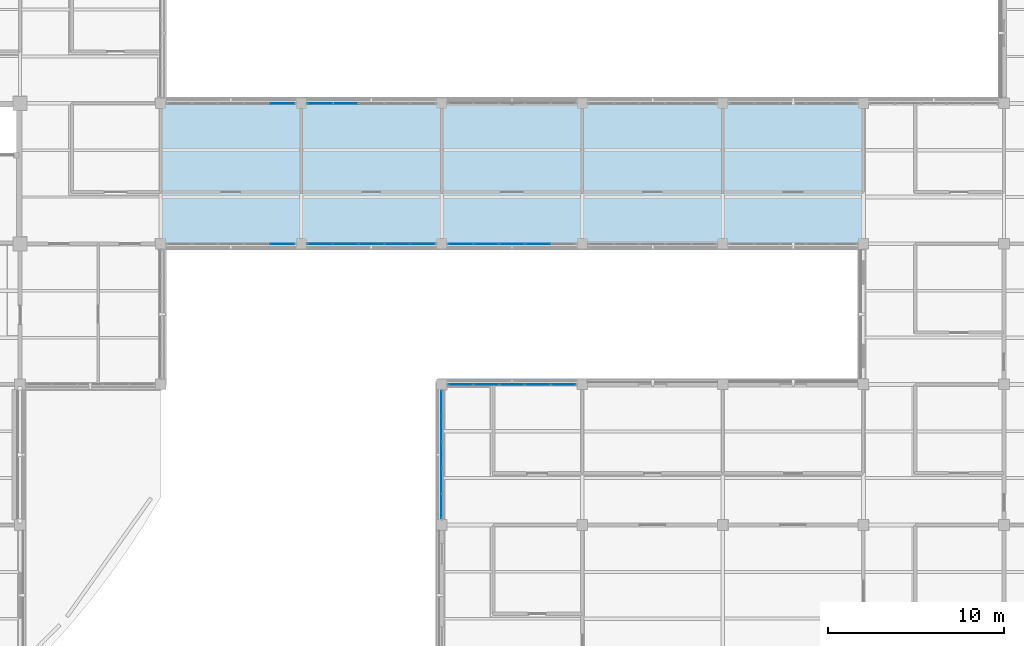
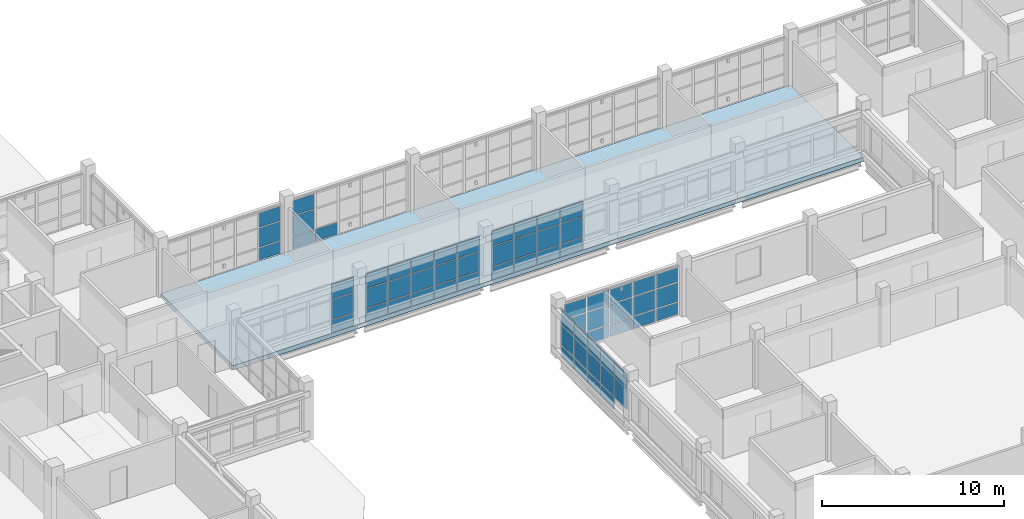
# One storey, part 78 of 126: 66 plates, 1 slab, 7 elements without a shape of their own.
"""IFC4 building model written with IfcOpenShell, lengths in metres."""

from ifc_helpers import new_model, si_unit, derived_unit, direction, frame, origin, origin_2d, place, context, subcontext, project, spatial, polyline, rectangle, outline, extrude, material, layer, layer_set, type_object, element, aggregate, save


model = new_model("IFC4")

# Units and contexts
model_context = context("Model", 3, precision=1e-05, world=origin(), true_north=direction((0.0, 1.0)))
body_context = subcontext(model_context, "Body", "Model", "MODEL_VIEW")
ifc_project = project(units=[si_unit("LENGTHUNIT", "METRE"), si_unit("AREAUNIT", "SQUARE_METRE"), si_unit("VOLUMEUNIT", "CUBIC_METRE"), si_unit("PLANEANGLEUNIT", "RADIAN"), si_unit("MASSUNIT", "GRAM", prefix="KILO"), derived_unit("THERMALTRANSMITTANCEUNIT", [(si_unit("MASSUNIT", "GRAM", prefix="KILO"), 1), (si_unit("TIMEUNIT", "SECOND"), -3), (si_unit("THERMODYNAMICTEMPERATUREUNIT", "KELVIN"), -1)])], contexts=[model_context])

# Site, building, storey
site_placement = place(None, origin())
site = spatial("IfcSite", under=ifc_project, at=site_placement, CompositionType="ELEMENT")
building_placement = place(site_placement, origin())
building = spatial("IfcBuilding", under=site, at=building_placement, Name="Veyamyaing Civic Hall", CompositionType="ELEMENT")
storey_placement = place(building_placement, frame((0.0, 0.0, 9.89990234375)))
storey = spatial("IfcBuildingStorey", under=building, at=storey_placement, Name="L02", CompositionType="ELEMENT", Elevation=9.89990234375)

# Curtain wall, plates
ifc_material_1 = material(Name="Anodised aluminium 6063-T6", Category="aluminium")
ifc_layer_1 = layer(ifc_material_1, 0.139892578125, Name="Anodised aluminium 6063-T6")
ifc_layer_set_1 = layer_set([ifc_layer_1], Name="Anodised aluminium 6063-T6")
curtain_wall_type_1 = type_object("IfcCurtainWallType", Name="CW-04", PredefinedType="NOTDEFINED", material=ifc_layer_set_1)
curtain_wall_1_placement = place(storey_placement, origin())
curtain_wall_1 = element("IfcCurtainWall", 1, at=curtain_wall_1_placement, inside=storey, type_object=curtain_wall_type_1, Name="Unitized curtain wall CW-04 L02 S 16.7", PredefinedType="NOTDEFINED")
ifc_material_2 = material(Name="Low-E insulated glass", Category="glass")
ifc_layer_2 = layer(ifc_material_2, 0.028076171875, Name="Low-E insulated glass")
ifc_layer_set_2 = layer_set([ifc_layer_2], Name="Low-E insulated glass")
plate_type_1 = type_object("IfcPlateType", Name="CWP-01", PredefinedType="CURTAIN_PANEL", material=ifc_layer_set_2)
plate_1_placement = place(storey_placement, frame((126.9208984375, 48.0, 0.06005859375), z_axis=(0.0, 0.0, 1.0), x_axis=(1.0, 0.0, 0.0)))
plate_1 = element("IfcPlate", 2, at=plate_1_placement, type_object=plate_type_1, Name="CW-04 panel 5.1", PredefinedType="CURTAIN_PANEL", context=body_context, shape_type="SweptSolid", body=[
    extrude(rectangle(XDim=1.3779296875, YDim=0.028076171875, at=origin_2d()), origin(), (0.0, 0.0, 1.0), 0.81005859375),
])
plate_2_placement = place(storey_placement, frame((126.9208984375, 48.0, 0.93017578125), z_axis=(0.0, 0.0, 1.0), x_axis=(1.0, 0.0, 0.0)))
plate_2 = element("IfcPlate", 3, at=plate_2_placement, type_object=plate_type_1, Name="CW-04 panel 5.2", PredefinedType="CURTAIN_PANEL", context=body_context, shape_type="SweptSolid", body=[
    extrude(rectangle(XDim=1.3779296875, YDim=0.028076171875, at=origin_2d()), origin(), (0.0, 0.0, 1.0), 1.31591796875),
])
plate_3_placement = place(storey_placement, frame((126.9208984375, 48.0, 2.30615234375), z_axis=(0.0, 0.0, 1.0), x_axis=(1.0, 0.0, 0.0)))
plate_3 = element("IfcPlate", 4, at=plate_3_placement, type_object=plate_type_1, Name="CW-04 panel 5.3", PredefinedType="CURTAIN_PANEL", context=body_context, shape_type="SweptSolid", body=[
    extrude(rectangle(XDim=1.3779296875, YDim=0.028076171875, at=origin_2d()), origin(), (0.0, 0.0, 1.0), 0.98095703125),
])
aggregate(curtain_wall_1, [plate_1, plate_2, plate_3])

curtain_wall_2_placement = place(storey_placement, origin())
curtain_wall_2 = element("IfcCurtainWall", 5, at=curtain_wall_2_placement, inside=storey, type_object=curtain_wall_type_1, Name="Unitized curtain wall CW-04 L02 N 16.7", PredefinedType="NOTDEFINED")
plate_4_placement = place(storey_placement, frame((126.9208984375, 56.0, 0.06005859375), z_axis=(0.0, 0.0, 1.0), x_axis=(1.0, 0.0, 0.0)))
plate_4 = element("IfcPlate", 6, at=plate_4_placement, type_object=plate_type_1, Name="CW-04 panel 5.1", PredefinedType="CURTAIN_PANEL", context=body_context, shape_type="SweptSolid", body=[
    extrude(rectangle(XDim=1.3779296875, YDim=0.028076171875, at=origin_2d()), origin(), (0.0, 0.0, 1.0), 0.81005859375),
])
plate_5_placement = place(storey_placement, frame((126.9208984375, 56.0, 0.929931640625), z_axis=(0.0, 0.0, 1.0), x_axis=(1.0, 0.0, 0.0)))
plate_5 = element("IfcPlate", 7, at=plate_5_placement, type_object=plate_type_1, Name="CW-04 panel 5.2", PredefinedType="CURTAIN_PANEL", context=body_context, shape_type="SweptSolid", body=[
    extrude(rectangle(XDim=1.3779296875, YDim=0.028076171875, at=origin_2d()), origin(), (0.0, 0.0, 1.0), 1.2705078125),
])
plate_6_placement = place(storey_placement, frame((126.9208984375, 56.0, 2.26025390625), z_axis=(0.0, 0.0, 1.0), x_axis=(1.0, 0.0, 0.0)))
plate_6 = element("IfcPlate", 8, at=plate_6_placement, type_object=plate_type_1, Name="CW-04 panel 5.3", PredefinedType="CURTAIN_PANEL", context=body_context, shape_type="SweptSolid", body=[
    extrude(rectangle(XDim=1.3779296875, YDim=0.028076171875, at=origin_2d()), origin(), (0.0, 0.0, 1.0), 0.959716796875),
])
aggregate(curtain_wall_2, [plate_4, plate_5, plate_6])

ifc_layer_3 = layer(ifc_material_1, 0.159912109375, Name="Anodised aluminium 6063-T6")
ifc_layer_set_3 = layer_set([ifc_layer_3], Name="Anodised aluminium 6063-T6")
curtain_wall_type_2 = type_object("IfcCurtainWallType", Name="CW-03", PredefinedType="NOTDEFINED", material=ifc_layer_set_3)
curtain_wall_3_placement = place(storey_placement, origin())
curtain_wall_3 = element("IfcCurtainWall", 9, at=curtain_wall_3_placement, inside=storey, type_object=curtain_wall_type_2, Name="Unitized curtain wall CW-03 L02 N 18.5", PredefinedType="NOTDEFINED")
plate_7_placement = place(storey_placement, frame((137.080322265625, 40.0, 0.06494140625), z_axis=(0.0, 0.0, 1.0), x_axis=(1.0, 0.0, 0.0)))
plate_7 = element("IfcPlate", 10, at=plate_7_placement, type_object=plate_type_1, Name="CW-03 panel 1.1", PredefinedType="CURTAIN_PANEL", context=body_context, shape_type="SweptSolid", body=[
    extrude(rectangle(XDim=1.37060546875, YDim=0.028076171875, at=origin_2d()), origin(), (0.0, 0.0, 1.0), 0.802490234375),
])
plate_8_placement = place(storey_placement, frame((137.080322265625, 40.0, 0.9326171875), z_axis=(0.0, 0.0, 1.0), x_axis=(1.0, 0.0, 0.0)))
plate_8 = element("IfcPlate", 11, at=plate_8_placement, type_object=plate_type_1, Name="CW-03 panel 1.2", PredefinedType="CURTAIN_PANEL", context=body_context, shape_type="SweptSolid", body=[
    extrude(rectangle(XDim=1.37060546875, YDim=0.028076171875, at=origin_2d()), origin(), (0.0, 0.0, 1.0), 1.265380859375),
])
plate_9_placement = place(storey_placement, frame((137.080322265625, 40.0, 2.262939453125), z_axis=(0.0, 0.0, 1.0), x_axis=(1.0, 0.0, 0.0)))
plate_9 = element("IfcPlate", 12, at=plate_9_placement, type_object=plate_type_1, Name="CW-03 panel 1.3", PredefinedType="CURTAIN_PANEL", context=body_context, shape_type="SweptSolid", body=[
    extrude(rectangle(XDim=1.37060546875, YDim=0.028076171875, at=origin_2d()), origin(), (0.0, 0.0, 1.0), 0.9521484375),
])
plate_10_placement = place(storey_placement, frame((138.531982421875, 40.0, 0.06494140625), z_axis=(0.0, 0.0, 1.0), x_axis=(1.0, 0.0, 0.0)))
plate_10 = element("IfcPlate", 13, at=plate_10_placement, type_object=plate_type_1, Name="CW-03 panel 2.1", PredefinedType="CURTAIN_PANEL", context=body_context, shape_type="SweptSolid", body=[
    extrude(rectangle(XDim=1.403076171875, YDim=0.028076171875, at=origin_2d()), origin(), (0.0, 0.0, 1.0), 0.802490234375),
])
plate_11_placement = place(storey_placement, frame((138.531982421875, 40.0, 0.9326171875), z_axis=(0.0, 0.0, 1.0), x_axis=(1.0, 0.0, 0.0)))
plate_11 = element("IfcPlate", 14, at=plate_11_placement, type_object=plate_type_1, Name="CW-03 panel 2.2", PredefinedType="CURTAIN_PANEL", context=body_context, shape_type="SweptSolid", body=[
    extrude(rectangle(XDim=1.403076171875, YDim=0.028076171875, at=origin_2d()), origin(), (0.0, 0.0, 1.0), 1.265380859375),
])
plate_12_placement = place(storey_placement, frame((138.531982421875, 40.0, 2.262939453125), z_axis=(0.0, 0.0, 1.0), x_axis=(1.0, 0.0, 0.0)))
plate_12 = element("IfcPlate", 15, at=plate_12_placement, type_object=plate_type_1, Name="CW-03 panel 2.3", PredefinedType="CURTAIN_PANEL", context=body_context, shape_type="SweptSolid", body=[
    extrude(rectangle(XDim=1.403076171875, YDim=0.028076171875, at=origin_2d()), origin(), (0.0, 0.0, 1.0), 0.9521484375),
])
plate_13_placement = place(storey_placement, frame((140.0, 40.0, 0.06494140625), z_axis=(0.0, 0.0, 1.0), x_axis=(1.0, 0.0, 0.0)))
plate_13 = element("IfcPlate", 16, at=plate_13_placement, type_object=plate_type_1, Name="CW-03 panel 3.1", PredefinedType="CURTAIN_PANEL", context=body_context, shape_type="SweptSolid", body=[
    extrude(rectangle(XDim=1.403076171875, YDim=0.028076171875, at=origin_2d()), origin(), (0.0, 0.0, 1.0), 0.802490234375),
])
plate_14_placement = place(storey_placement, frame((140.0, 40.0, 0.9326171875), z_axis=(0.0, 0.0, 1.0), x_axis=(1.0, 0.0, 0.0)))
plate_14 = element("IfcPlate", 17, at=plate_14_placement, type_object=plate_type_1, Name="CW-03 panel 3.2", PredefinedType="CURTAIN_PANEL", context=body_context, shape_type="SweptSolid", body=[
    extrude(rectangle(XDim=1.403076171875, YDim=0.028076171875, at=origin_2d()), origin(), (0.0, 0.0, 1.0), 1.265380859375),
])
plate_15_placement = place(storey_placement, frame((140.0, 40.0, 2.262939453125), z_axis=(0.0, 0.0, 1.0), x_axis=(1.0, 0.0, 0.0)))
plate_15 = element("IfcPlate", 18, at=plate_15_placement, type_object=plate_type_1, Name="CW-03 panel 3.3", PredefinedType="CURTAIN_PANEL", context=body_context, shape_type="SweptSolid", body=[
    extrude(rectangle(XDim=1.403076171875, YDim=0.028076171875, at=origin_2d()), origin(), (0.0, 0.0, 1.0), 0.9521484375),
])
plate_16_placement = place(storey_placement, frame((141.468017578125, 40.0, 0.06494140625), z_axis=(0.0, 0.0, 1.0), x_axis=(1.0, 0.0, 0.0)))
plate_16 = element("IfcPlate", 19, at=plate_16_placement, type_object=plate_type_1, Name="CW-03 panel 4.1", PredefinedType="CURTAIN_PANEL", context=body_context, shape_type="SweptSolid", body=[
    extrude(rectangle(XDim=1.403076171875, YDim=0.028076171875, at=origin_2d()), origin(), (0.0, 0.0, 1.0), 0.802490234375),
])
plate_17_placement = place(storey_placement, frame((141.468017578125, 40.0, 0.9326171875), z_axis=(0.0, 0.0, 1.0), x_axis=(1.0, 0.0, 0.0)))
plate_17 = element("IfcPlate", 20, at=plate_17_placement, type_object=plate_type_1, Name="CW-03 panel 4.2", PredefinedType="CURTAIN_PANEL", context=body_context, shape_type="SweptSolid", body=[
    extrude(rectangle(XDim=1.403076171875, YDim=0.028076171875, at=origin_2d()), origin(), (0.0, 0.0, 1.0), 1.265380859375),
])
plate_18_placement = place(storey_placement, frame((141.468017578125, 40.0, 2.262939453125), z_axis=(0.0, 0.0, 1.0), x_axis=(1.0, 0.0, 0.0)))
plate_18 = element("IfcPlate", 21, at=plate_18_placement, type_object=plate_type_1, Name="CW-03 panel 4.3", PredefinedType="CURTAIN_PANEL", context=body_context, shape_type="SweptSolid", body=[
    extrude(rectangle(XDim=1.403076171875, YDim=0.028076171875, at=origin_2d()), origin(), (0.0, 0.0, 1.0), 0.9521484375),
])
plate_19_placement = place(storey_placement, frame((142.919677734375, 40.0, 0.06494140625), z_axis=(0.0, 0.0, 1.0), x_axis=(1.0, 0.0, 0.0)))
plate_19 = element("IfcPlate", 22, at=plate_19_placement, type_object=plate_type_1, Name="CW-03 panel 5.1", PredefinedType="CURTAIN_PANEL", context=body_context, shape_type="SweptSolid", body=[
    extrude(rectangle(XDim=1.37060546875, YDim=0.028076171875, at=origin_2d()), origin(), (0.0, 0.0, 1.0), 0.802490234375),
])
plate_20_placement = place(storey_placement, frame((142.919677734375, 40.0, 0.9326171875), z_axis=(0.0, 0.0, 1.0), x_axis=(1.0, 0.0, 0.0)))
plate_20 = element("IfcPlate", 23, at=plate_20_placement, type_object=plate_type_1, Name="CW-03 panel 5.2", PredefinedType="CURTAIN_PANEL", context=body_context, shape_type="SweptSolid", body=[
    extrude(rectangle(XDim=1.37060546875, YDim=0.028076171875, at=origin_2d()), origin(), (0.0, 0.0, 1.0), 1.265380859375),
])
plate_21_placement = place(storey_placement, frame((142.919677734375, 40.0, 2.262939453125), z_axis=(0.0, 0.0, 1.0), x_axis=(1.0, 0.0, 0.0)))
plate_21 = element("IfcPlate", 24, at=plate_21_placement, type_object=plate_type_1, Name="CW-03 panel 5.3", PredefinedType="CURTAIN_PANEL", context=body_context, shape_type="SweptSolid", body=[
    extrude(rectangle(XDim=1.37060546875, YDim=0.028076171875, at=origin_2d()), origin(), (0.0, 0.0, 1.0), 0.9521484375),
])
aggregate(curtain_wall_3, [plate_7, plate_8, plate_9, plate_10, plate_11, plate_12, plate_13, plate_14, plate_15, plate_16, plate_17, plate_18, plate_19, plate_20, plate_21])

curtain_wall_4_placement = place(storey_placement, origin())
curtain_wall_4 = element("IfcCurtainWall", 25, at=curtain_wall_4_placement, inside=storey, type_object=curtain_wall_type_2, Name="Unitized curtain wall CW-03 L02 W 18.5", PredefinedType="NOTDEFINED")
plate_22_placement = place(storey_placement, frame((136.0, 33.080322265625, 0.9326171875), z_axis=(0.0, 0.0, 1.0), x_axis=(0.0, 1.0, 0.0)))
plate_22 = element("IfcPlate", 26, at=plate_22_placement, type_object=plate_type_1, Name="CW-03 panel 1.2", PredefinedType="CURTAIN_PANEL", context=body_context, shape_type="SweptSolid", body=[
    extrude(rectangle(XDim=1.37060546875, YDim=0.028076171875, at=origin_2d()), origin(), (0.0, 0.0, 1.0), 1.31103515625),
])
plate_23_placement = place(storey_placement, frame((136.0, 33.080322265625, 2.30859375), z_axis=(0.0, 0.0, 1.0), x_axis=(0.0, 1.0, 0.0)))
plate_23 = element("IfcPlate", 27, at=plate_23_placement, type_object=plate_type_1, Name="CW-03 panel 1.3", PredefinedType="CURTAIN_PANEL", context=body_context, shape_type="SweptSolid", body=[
    extrude(rectangle(XDim=1.37060546875, YDim=0.028076171875, at=origin_2d()), origin(), (0.0, 0.0, 1.0), 0.973388671875),
])
plate_24_placement = place(storey_placement, frame((136.0, 34.531982421875, 0.06494140625), z_axis=(0.0, 0.0, 1.0), x_axis=(0.0, 1.0, 0.0)))
plate_24 = element("IfcPlate", 28, at=plate_24_placement, type_object=plate_type_1, Name="CW-03 panel 2.1", PredefinedType="CURTAIN_PANEL", context=body_context, shape_type="SweptSolid", body=[
    extrude(rectangle(XDim=1.403076171875, YDim=0.028076171875, at=origin_2d()), origin(), (0.0, 0.0, 1.0), 0.802490234375),
])
plate_25_placement = place(storey_placement, frame((136.0, 34.531982421875, 0.9326171875), z_axis=(0.0, 0.0, 1.0), x_axis=(0.0, 1.0, 0.0)))
plate_25 = element("IfcPlate", 29, at=plate_25_placement, type_object=plate_type_1, Name="CW-03 panel 2.2", PredefinedType="CURTAIN_PANEL", context=body_context, shape_type="SweptSolid", body=[
    extrude(rectangle(XDim=1.403076171875, YDim=0.028076171875, at=origin_2d()), origin(), (0.0, 0.0, 1.0), 1.31103515625),
])
plate_26_placement = place(storey_placement, frame((136.0, 34.531982421875, 2.30859375), z_axis=(0.0, 0.0, 1.0), x_axis=(0.0, 1.0, 0.0)))
plate_26 = element("IfcPlate", 30, at=plate_26_placement, type_object=plate_type_1, Name="CW-03 panel 2.3", PredefinedType="CURTAIN_PANEL", context=body_context, shape_type="SweptSolid", body=[
    extrude(rectangle(XDim=1.403076171875, YDim=0.028076171875, at=origin_2d()), origin(), (0.0, 0.0, 1.0), 0.973388671875),
])
plate_27_placement = place(storey_placement, frame((136.0, 36.0, 0.06494140625), z_axis=(0.0, 0.0, 1.0), x_axis=(0.0, 1.0, 0.0)))
plate_27 = element("IfcPlate", 31, at=plate_27_placement, type_object=plate_type_1, Name="CW-03 panel 3.1", PredefinedType="CURTAIN_PANEL", context=body_context, shape_type="SweptSolid", body=[
    extrude(rectangle(XDim=1.403076171875, YDim=0.028076171875, at=origin_2d()), origin(), (0.0, 0.0, 1.0), 0.802490234375),
])
plate_28_placement = place(storey_placement, frame((136.0, 36.0, 0.9326171875), z_axis=(0.0, 0.0, 1.0), x_axis=(0.0, 1.0, 0.0)))
plate_28 = element("IfcPlate", 32, at=plate_28_placement, type_object=plate_type_1, Name="CW-03 panel 3.2", PredefinedType="CURTAIN_PANEL", context=body_context, shape_type="SweptSolid", body=[
    extrude(rectangle(XDim=1.403076171875, YDim=0.028076171875, at=origin_2d()), origin(), (0.0, 0.0, 1.0), 1.31103515625),
])
plate_29_placement = place(storey_placement, frame((136.0, 36.0, 2.30859375), z_axis=(0.0, 0.0, 1.0), x_axis=(0.0, 1.0, 0.0)))
plate_29 = element("IfcPlate", 33, at=plate_29_placement, type_object=plate_type_1, Name="CW-03 panel 3.3", PredefinedType="CURTAIN_PANEL", context=body_context, shape_type="SweptSolid", body=[
    extrude(rectangle(XDim=1.403076171875, YDim=0.028076171875, at=origin_2d()), origin(), (0.0, 0.0, 1.0), 0.973388671875),
])
plate_30_placement = place(storey_placement, frame((136.0, 37.468017578125, 0.06494140625), z_axis=(0.0, 0.0, 1.0), x_axis=(0.0, 1.0, 0.0)))
plate_30 = element("IfcPlate", 34, at=plate_30_placement, type_object=plate_type_1, Name="CW-03 panel 4.1", PredefinedType="CURTAIN_PANEL", context=body_context, shape_type="SweptSolid", body=[
    extrude(rectangle(XDim=1.403076171875, YDim=0.028076171875, at=origin_2d()), origin(), (0.0, 0.0, 1.0), 0.802490234375),
])
plate_31_placement = place(storey_placement, frame((136.0, 37.468017578125, 0.9326171875), z_axis=(0.0, 0.0, 1.0), x_axis=(0.0, 1.0, 0.0)))
plate_31 = element("IfcPlate", 35, at=plate_31_placement, type_object=plate_type_1, Name="CW-03 panel 4.2", PredefinedType="CURTAIN_PANEL", context=body_context, shape_type="SweptSolid", body=[
    extrude(rectangle(XDim=1.403076171875, YDim=0.028076171875, at=origin_2d()), origin(), (0.0, 0.0, 1.0), 1.31103515625),
])
plate_32_placement = place(storey_placement, frame((136.0, 37.468017578125, 2.30859375), z_axis=(0.0, 0.0, 1.0), x_axis=(0.0, 1.0, 0.0)))
plate_32 = element("IfcPlate", 36, at=plate_32_placement, type_object=plate_type_1, Name="CW-03 panel 4.3", PredefinedType="CURTAIN_PANEL", context=body_context, shape_type="SweptSolid", body=[
    extrude(rectangle(XDim=1.403076171875, YDim=0.028076171875, at=origin_2d()), origin(), (0.0, 0.0, 1.0), 0.973388671875),
])
plate_33_placement = place(storey_placement, frame((136.0, 38.919677734375, 0.06494140625), z_axis=(0.0, 0.0, 1.0), x_axis=(0.0, 1.0, 0.0)))
plate_33 = element("IfcPlate", 37, at=plate_33_placement, type_object=plate_type_1, Name="CW-03 panel 5.1", PredefinedType="CURTAIN_PANEL", context=body_context, shape_type="SweptSolid", body=[
    extrude(rectangle(XDim=1.37060546875, YDim=0.028076171875, at=origin_2d()), origin(), (0.0, 0.0, 1.0), 0.802490234375),
])
plate_34_placement = place(storey_placement, frame((136.0, 38.919677734375, 0.9326171875), z_axis=(0.0, 0.0, 1.0), x_axis=(0.0, 1.0, 0.0)))
plate_34 = element("IfcPlate", 38, at=plate_34_placement, type_object=plate_type_1, Name="CW-03 panel 5.2", PredefinedType="CURTAIN_PANEL", context=body_context, shape_type="SweptSolid", body=[
    extrude(rectangle(XDim=1.37060546875, YDim=0.028076171875, at=origin_2d()), origin(), (0.0, 0.0, 1.0), 1.31103515625),
])
plate_35_placement = place(storey_placement, frame((136.0, 38.919677734375, 2.30859375), z_axis=(0.0, 0.0, 1.0), x_axis=(0.0, 1.0, 0.0)))
plate_35 = element("IfcPlate", 39, at=plate_35_placement, type_object=plate_type_1, Name="CW-03 panel 5.3", PredefinedType="CURTAIN_PANEL", context=body_context, shape_type="SweptSolid", body=[
    extrude(rectangle(XDim=1.37060546875, YDim=0.028076171875, at=origin_2d()), origin(), (0.0, 0.0, 1.0), 0.973388671875),
])
aggregate(curtain_wall_4, [plate_22, plate_23, plate_24, plate_25, plate_26, plate_27, plate_28, plate_29, plate_30, plate_31, plate_32, plate_33, plate_34, plate_35])

curtain_wall_5_placement = place(storey_placement, origin())
curtain_wall_5 = element("IfcCurtainWall", 40, at=curtain_wall_5_placement, inside=storey, type_object=curtain_wall_type_1, Name="Unitized curtain wall CW-04 L02 S 17.7", PredefinedType="NOTDEFINED")
ifc_layer_4 = layer(ifc_material_2, 0.031982421875, Name="Low-E insulated glass")
ifc_layer_set_4 = layer_set([ifc_layer_4], Name="Low-E insulated glass")
plate_type_2 = type_object("IfcPlateType", Name="CWP-02", PredefinedType="CURTAIN_PANEL", material=ifc_layer_set_4)
plate_36_placement = place(storey_placement, frame((129.0791015625, 48.0, 0.06005859375), z_axis=(0.0, 0.0, 1.0), x_axis=(1.0, 0.0, 0.0)))
plate_36 = element("IfcPlate", 41, at=plate_36_placement, type_object=plate_type_2, Name="CW-04 panel 1.1", PredefinedType="CURTAIN_PANEL", context=body_context, shape_type="SweptSolid", body=[
    extrude(rectangle(XDim=1.3779296875, YDim=0.031982421875, at=origin_2d()), origin(), (0.0, 0.0, 1.0), 0.81005859375),
])
plate_37_placement = place(storey_placement, frame((129.0791015625, 48.0, 0.929931640625), z_axis=(0.0, 0.0, 1.0), x_axis=(1.0, 0.0, 0.0)))
plate_37 = element("IfcPlate", 42, at=plate_37_placement, type_object=plate_type_2, Name="CW-04 panel 1.2", PredefinedType="CURTAIN_PANEL", context=body_context, shape_type="SweptSolid", body=[
    extrude(rectangle(XDim=1.3779296875, YDim=0.031982421875, at=origin_2d()), origin(), (0.0, 0.0, 1.0), 1.2705078125),
])
plate_38_placement = place(storey_placement, frame((129.0791015625, 48.0, 2.26025390625), z_axis=(0.0, 0.0, 1.0), x_axis=(1.0, 0.0, 0.0)))
plate_38 = element("IfcPlate", 43, at=plate_38_placement, type_object=plate_type_2, Name="CW-04 panel 1.3", PredefinedType="CURTAIN_PANEL", context=body_context, shape_type="SweptSolid", body=[
    extrude(rectangle(XDim=1.3779296875, YDim=0.031982421875, at=origin_2d()), origin(), (0.0, 0.0, 1.0), 0.959716796875),
])
plate_39_placement = place(storey_placement, frame((130.531982421875, 48.0, 0.06005859375), z_axis=(0.0, 0.0, 1.0), x_axis=(1.0, 0.0, 0.0)))
plate_39 = element("IfcPlate", 44, at=plate_39_placement, type_object=plate_type_2, Name="CW-04 panel 2.1", PredefinedType="CURTAIN_PANEL", context=body_context, shape_type="SweptSolid", body=[
    extrude(rectangle(XDim=1.407958984375, YDim=0.031982421875, at=origin_2d()), origin(), (0.0, 0.0, 1.0), 0.81005859375),
])
plate_40_placement = place(storey_placement, frame((130.531982421875, 48.0, 0.929931640625), z_axis=(0.0, 0.0, 1.0), x_axis=(1.0, 0.0, 0.0)))
plate_40 = element("IfcPlate", 45, at=plate_40_placement, type_object=plate_type_2, Name="CW-04 panel 2.2", PredefinedType="CURTAIN_PANEL", context=body_context, shape_type="SweptSolid", body=[
    extrude(rectangle(XDim=1.407958984375, YDim=0.031982421875, at=origin_2d()), origin(), (0.0, 0.0, 1.0), 1.2705078125),
])
plate_41_placement = place(storey_placement, frame((130.531982421875, 48.0, 2.26025390625), z_axis=(0.0, 0.0, 1.0), x_axis=(1.0, 0.0, 0.0)))
plate_41 = element("IfcPlate", 46, at=plate_41_placement, type_object=plate_type_2, Name="CW-04 panel 2.3", PredefinedType="CURTAIN_PANEL", context=body_context, shape_type="SweptSolid", body=[
    extrude(rectangle(XDim=1.407958984375, YDim=0.031982421875, at=origin_2d()), origin(), (0.0, 0.0, 1.0), 0.959716796875),
])
plate_42_placement = place(storey_placement, frame((132.0, 48.0, 0.06005859375), z_axis=(0.0, 0.0, 1.0), x_axis=(1.0, 0.0, 0.0)))
plate_42 = element("IfcPlate", 47, at=plate_42_placement, type_object=plate_type_2, Name="CW-04 panel 3.1", PredefinedType="CURTAIN_PANEL", context=body_context, shape_type="SweptSolid", body=[
    extrude(rectangle(XDim=1.407958984375, YDim=0.031982421875, at=origin_2d()), origin(), (0.0, 0.0, 1.0), 0.81005859375),
])
plate_43_placement = place(storey_placement, frame((132.0, 48.0, 0.929931640625), z_axis=(0.0, 0.0, 1.0), x_axis=(1.0, 0.0, 0.0)))
plate_43 = element("IfcPlate", 48, at=plate_43_placement, type_object=plate_type_2, Name="CW-04 panel 3.2", PredefinedType="CURTAIN_PANEL", context=body_context, shape_type="SweptSolid", body=[
    extrude(rectangle(XDim=1.407958984375, YDim=0.031982421875, at=origin_2d()), origin(), (0.0, 0.0, 1.0), 1.2705078125),
])
plate_44_placement = place(storey_placement, frame((132.0, 48.0, 2.26025390625), z_axis=(0.0, 0.0, 1.0), x_axis=(1.0, 0.0, 0.0)))
plate_44 = element("IfcPlate", 49, at=plate_44_placement, type_object=plate_type_2, Name="CW-04 panel 3.3", PredefinedType="CURTAIN_PANEL", context=body_context, shape_type="SweptSolid", body=[
    extrude(rectangle(XDim=1.407958984375, YDim=0.031982421875, at=origin_2d()), origin(), (0.0, 0.0, 1.0), 0.959716796875),
])
plate_45_placement = place(storey_placement, frame((133.468017578125, 48.0, 0.06005859375), z_axis=(0.0, 0.0, 1.0), x_axis=(1.0, 0.0, 0.0)))
plate_45 = element("IfcPlate", 50, at=plate_45_placement, type_object=plate_type_2, Name="CW-04 panel 4.1", PredefinedType="CURTAIN_PANEL", context=body_context, shape_type="SweptSolid", body=[
    extrude(rectangle(XDim=1.407958984375, YDim=0.031982421875, at=origin_2d()), origin(), (0.0, 0.0, 1.0), 0.81005859375),
])
plate_46_placement = place(storey_placement, frame((133.468017578125, 48.0, 0.929931640625), z_axis=(0.0, 0.0, 1.0), x_axis=(1.0, 0.0, 0.0)))
plate_46 = element("IfcPlate", 51, at=plate_46_placement, type_object=plate_type_2, Name="CW-04 panel 4.2", PredefinedType="CURTAIN_PANEL", context=body_context, shape_type="SweptSolid", body=[
    extrude(rectangle(XDim=1.407958984375, YDim=0.031982421875, at=origin_2d()), origin(), (0.0, 0.0, 1.0), 1.2705078125),
])
plate_47_placement = place(storey_placement, frame((133.468017578125, 48.0, 2.26025390625), z_axis=(0.0, 0.0, 1.0), x_axis=(1.0, 0.0, 0.0)))
plate_47 = element("IfcPlate", 52, at=plate_47_placement, type_object=plate_type_2, Name="CW-04 panel 4.3", PredefinedType="CURTAIN_PANEL", context=body_context, shape_type="SweptSolid", body=[
    extrude(rectangle(XDim=1.407958984375, YDim=0.031982421875, at=origin_2d()), origin(), (0.0, 0.0, 1.0), 0.959716796875),
])
plate_48_placement = place(storey_placement, frame((134.9208984375, 48.0, 0.06005859375), z_axis=(0.0, 0.0, 1.0), x_axis=(1.0, 0.0, 0.0)))
plate_48 = element("IfcPlate", 53, at=plate_48_placement, type_object=plate_type_2, Name="CW-04 panel 5.1", PredefinedType="CURTAIN_PANEL", context=body_context, shape_type="SweptSolid", body=[
    extrude(rectangle(XDim=1.3779296875, YDim=0.031982421875, at=origin_2d()), origin(), (0.0, 0.0, 1.0), 0.81005859375),
])
plate_49_placement = place(storey_placement, frame((134.9208984375, 48.0, 0.929931640625), z_axis=(0.0, 0.0, 1.0), x_axis=(1.0, 0.0, 0.0)))
plate_49 = element("IfcPlate", 54, at=plate_49_placement, type_object=plate_type_2, Name="CW-04 panel 5.2", PredefinedType="CURTAIN_PANEL", context=body_context, shape_type="SweptSolid", body=[
    extrude(rectangle(XDim=1.3779296875, YDim=0.031982421875, at=origin_2d()), origin(), (0.0, 0.0, 1.0), 1.2705078125),
])
plate_50_placement = place(storey_placement, frame((134.9208984375, 48.0, 2.26025390625), z_axis=(0.0, 0.0, 1.0), x_axis=(1.0, 0.0, 0.0)))
plate_50 = element("IfcPlate", 55, at=plate_50_placement, type_object=plate_type_2, Name="CW-04 panel 5.3", PredefinedType="CURTAIN_PANEL", context=body_context, shape_type="SweptSolid", body=[
    extrude(rectangle(XDim=1.3779296875, YDim=0.031982421875, at=origin_2d()), origin(), (0.0, 0.0, 1.0), 0.959716796875),
])
aggregate(curtain_wall_5, [plate_36, plate_37, plate_38, plate_39, plate_40, plate_41, plate_42, plate_43, plate_44, plate_45, plate_46, plate_47, plate_48, plate_49, plate_50])

curtain_wall_6_placement = place(storey_placement, origin())
curtain_wall_6 = element("IfcCurtainWall", 56, at=curtain_wall_6_placement, inside=storey, type_object=curtain_wall_type_1, Name="Unitized curtain wall CW-04 L02 N 17.7", PredefinedType="NOTDEFINED")
plate_51_placement = place(storey_placement, frame((129.0791015625, 56.0, 0.06005859375), z_axis=(0.0, 0.0, 1.0), x_axis=(1.0, 0.0, 0.0)))
plate_51 = element("IfcPlate", 57, at=plate_51_placement, type_object=plate_type_2, Name="CW-04 panel 1.1", PredefinedType="CURTAIN_PANEL", context=body_context, shape_type="SweptSolid", body=[
    extrude(rectangle(XDim=1.3779296875, YDim=0.031982421875, at=origin_2d()), origin(), (0.0, 0.0, 1.0), 0.81005859375),
])
plate_52_placement = place(storey_placement, frame((129.0791015625, 56.0, 0.93017578125), z_axis=(0.0, 0.0, 1.0), x_axis=(1.0, 0.0, 0.0)))
plate_52 = element("IfcPlate", 58, at=plate_52_placement, type_object=plate_type_2, Name="CW-04 panel 1.2", PredefinedType="CURTAIN_PANEL", context=body_context, shape_type="SweptSolid", body=[
    extrude(rectangle(XDim=1.3779296875, YDim=0.031982421875, at=origin_2d()), origin(), (0.0, 0.0, 1.0), 1.31396484375),
])
plate_53_placement = place(storey_placement, frame((129.0791015625, 56.0, 2.303955078125), z_axis=(0.0, 0.0, 1.0), x_axis=(1.0, 0.0, 0.0)))
plate_53 = element("IfcPlate", 59, at=plate_53_placement, type_object=plate_type_2, Name="CW-04 panel 1.3", PredefinedType="CURTAIN_PANEL", context=body_context, shape_type="SweptSolid", body=[
    extrude(rectangle(XDim=1.3779296875, YDim=0.031982421875, at=origin_2d()), origin(), (0.0, 0.0, 1.0), 0.97998046875),
])
plate_54_placement = place(storey_placement, frame((130.531982421875, 56.0, 0.06005859375), z_axis=(0.0, 0.0, 1.0), x_axis=(1.0, 0.0, 0.0)))
plate_54 = element("IfcPlate", 60, at=plate_54_placement, type_object=plate_type_2, Name="CW-04 panel 2.1", PredefinedType="CURTAIN_PANEL", context=body_context, shape_type="SweptSolid", body=[
    extrude(rectangle(XDim=1.407958984375, YDim=0.031982421875, at=origin_2d()), origin(), (0.0, 0.0, 1.0), 0.81005859375),
])
aggregate(curtain_wall_6, [plate_51, plate_52, plate_53, plate_54])

curtain_wall_7_placement = place(storey_placement, origin())
curtain_wall_7 = element("IfcCurtainWall", 61, at=curtain_wall_7_placement, inside=storey, type_object=curtain_wall_type_1, Name="Unitized curtain wall CW-04 L02 S 18.7", PredefinedType="NOTDEFINED")
ifc_layer_5 = layer(ifc_material_2, 0.035888671875, Name="Low-E insulated glass")
ifc_layer_set_5 = layer_set([ifc_layer_5], Name="Low-E insulated glass")
plate_type_3 = type_object("IfcPlateType", Name="CWP-03", PredefinedType="CURTAIN_PANEL", material=ifc_layer_set_5)
plate_55_placement = place(storey_placement, frame((137.0791015625, 48.0, 0.06005859375), z_axis=(0.0, 0.0, 1.0), x_axis=(1.0, 0.0, 0.0)))
plate_55 = element("IfcPlate", 62, at=plate_55_placement, type_object=plate_type_3, Name="CW-04 panel 1.1", PredefinedType="CURTAIN_PANEL", context=body_context, shape_type="SweptSolid", body=[
    extrude(rectangle(XDim=1.3779296875, YDim=0.035888671875, at=origin_2d()), origin(), (0.0, 0.0, 1.0), 0.81005859375),
])
plate_56_placement = place(storey_placement, frame((137.0791015625, 48.0, 0.93017578125), z_axis=(0.0, 0.0, 1.0), x_axis=(1.0, 0.0, 0.0)))
plate_56 = element("IfcPlate", 63, at=plate_56_placement, type_object=plate_type_3, Name="CW-04 panel 1.2", PredefinedType="CURTAIN_PANEL", context=body_context, shape_type="SweptSolid", body=[
    extrude(rectangle(XDim=1.3779296875, YDim=0.035888671875, at=origin_2d()), origin(), (0.0, 0.0, 1.0), 1.31396484375),
])
plate_57_placement = place(storey_placement, frame((137.0791015625, 48.0, 2.303955078125), z_axis=(0.0, 0.0, 1.0), x_axis=(1.0, 0.0, 0.0)))
plate_57 = element("IfcPlate", 64, at=plate_57_placement, type_object=plate_type_3, Name="CW-04 panel 1.3", PredefinedType="CURTAIN_PANEL", context=body_context, shape_type="SweptSolid", body=[
    extrude(rectangle(XDim=1.3779296875, YDim=0.035888671875, at=origin_2d()), origin(), (0.0, 0.0, 1.0), 0.97998046875),
])
plate_58_placement = place(storey_placement, frame((138.531982421875, 48.0, 0.06005859375), z_axis=(0.0, 0.0, 1.0), x_axis=(1.0, 0.0, 0.0)))
plate_58 = element("IfcPlate", 65, at=plate_58_placement, type_object=plate_type_3, Name="CW-04 panel 2.1", PredefinedType="CURTAIN_PANEL", context=body_context, shape_type="SweptSolid", body=[
    extrude(rectangle(XDim=1.407958984375, YDim=0.035888671875, at=origin_2d()), origin(), (0.0, 0.0, 1.0), 0.81005859375),
])
plate_59_placement = place(storey_placement, frame((138.531982421875, 48.0, 0.93017578125), z_axis=(0.0, 0.0, 1.0), x_axis=(1.0, 0.0, 0.0)))
plate_59 = element("IfcPlate", 66, at=plate_59_placement, type_object=plate_type_3, Name="CW-04 panel 2.2", PredefinedType="CURTAIN_PANEL", context=body_context, shape_type="SweptSolid", body=[
    extrude(rectangle(XDim=1.407958984375, YDim=0.035888671875, at=origin_2d()), origin(), (0.0, 0.0, 1.0), 1.31396484375),
])
plate_60_placement = place(storey_placement, frame((138.531982421875, 48.0, 2.303955078125), z_axis=(0.0, 0.0, 1.0), x_axis=(1.0, 0.0, 0.0)))
plate_60 = element("IfcPlate", 67, at=plate_60_placement, type_object=plate_type_3, Name="CW-04 panel 2.3", PredefinedType="CURTAIN_PANEL", context=body_context, shape_type="SweptSolid", body=[
    extrude(rectangle(XDim=1.407958984375, YDim=0.035888671875, at=origin_2d()), origin(), (0.0, 0.0, 1.0), 0.97998046875),
])
plate_61_placement = place(storey_placement, frame((140.0, 48.0, 0.06005859375), z_axis=(0.0, 0.0, 1.0), x_axis=(1.0, 0.0, 0.0)))
plate_61 = element("IfcPlate", 68, at=plate_61_placement, type_object=plate_type_3, Name="CW-04 panel 3.1", PredefinedType="CURTAIN_PANEL", context=body_context, shape_type="SweptSolid", body=[
    extrude(rectangle(XDim=1.407958984375, YDim=0.035888671875, at=origin_2d()), origin(), (0.0, 0.0, 1.0), 0.81005859375),
])
plate_62_placement = place(storey_placement, frame((140.0, 48.0, 0.93017578125), z_axis=(0.0, 0.0, 1.0), x_axis=(1.0, 0.0, 0.0)))
plate_62 = element("IfcPlate", 69, at=plate_62_placement, type_object=plate_type_3, Name="CW-04 panel 3.2", PredefinedType="CURTAIN_PANEL", context=body_context, shape_type="SweptSolid", body=[
    extrude(rectangle(XDim=1.407958984375, YDim=0.035888671875, at=origin_2d()), origin(), (0.0, 0.0, 1.0), 1.31396484375),
])
plate_63_placement = place(storey_placement, frame((140.0, 48.0, 2.303955078125), z_axis=(0.0, 0.0, 1.0), x_axis=(1.0, 0.0, 0.0)))
plate_63 = element("IfcPlate", 70, at=plate_63_placement, type_object=plate_type_3, Name="CW-04 panel 3.3", PredefinedType="CURTAIN_PANEL", context=body_context, shape_type="SweptSolid", body=[
    extrude(rectangle(XDim=1.407958984375, YDim=0.035888671875, at=origin_2d()), origin(), (0.0, 0.0, 1.0), 0.97998046875),
])
plate_64_placement = place(storey_placement, frame((141.468017578125, 48.0, 0.06005859375), z_axis=(0.0, 0.0, 1.0), x_axis=(1.0, 0.0, 0.0)))
plate_64 = element("IfcPlate", 71, at=plate_64_placement, type_object=plate_type_3, Name="CW-04 panel 4.1", PredefinedType="CURTAIN_PANEL", context=body_context, shape_type="SweptSolid", body=[
    extrude(rectangle(XDim=1.407958984375, YDim=0.035888671875, at=origin_2d()), origin(), (0.0, 0.0, 1.0), 0.81005859375),
])
plate_65_placement = place(storey_placement, frame((141.468017578125, 48.0, 0.93017578125), z_axis=(0.0, 0.0, 1.0), x_axis=(1.0, 0.0, 0.0)))
plate_65 = element("IfcPlate", 72, at=plate_65_placement, type_object=plate_type_3, Name="CW-04 panel 4.2", PredefinedType="CURTAIN_PANEL", context=body_context, shape_type="SweptSolid", body=[
    extrude(rectangle(XDim=1.407958984375, YDim=0.035888671875, at=origin_2d()), origin(), (0.0, 0.0, 1.0), 1.31396484375),
])
plate_66_placement = place(storey_placement, frame((141.468017578125, 48.0, 2.303955078125), z_axis=(0.0, 0.0, 1.0), x_axis=(1.0, 0.0, 0.0)))
plate_66 = element("IfcPlate", 73, at=plate_66_placement, type_object=plate_type_3, Name="CW-04 panel 4.3", PredefinedType="CURTAIN_PANEL", context=body_context, shape_type="SweptSolid", body=[
    extrude(rectangle(XDim=1.407958984375, YDim=0.035888671875, at=origin_2d()), origin(), (0.0, 0.0, 1.0), 0.97998046875),
])
aggregate(curtain_wall_7, [plate_55, plate_56, plate_57, plate_58, plate_59, plate_60, plate_61, plate_62, plate_63, plate_64, plate_65, plate_66])

# Slab
ifc_material_3 = material(Name="Concrete C40/50", Category="concrete")
ifc_layer_6 = layer(ifc_material_3, 0.284912109375, Name="Concrete C40/50")
ifc_layer_set_6 = layer_set([ifc_layer_6], Name="Concrete C40/50")
slab_type = type_object("IfcSlabType", Name="SL-04", PredefinedType="FLOOR", material=ifc_layer_set_6)
slab_placement = place(storey_placement, frame((0.0, 0.0, -0.284912109375)))
element("IfcSlab", 74, at=slab_placement, inside=storey, type_object=slab_type, Name="Floor slab SL-04 L02 LNKE.1", PredefinedType="FLOOR", context=body_context, shape_type="SweptSolid", body=[
    extrude(outline(polyline([(120.0, 56.0), (160.0, 56.0), (160.0, 48.0), (120.0, 48.0), (120.0, 56.0)])), origin(), (0.0, 0.0, 1.0), 0.284912109375),
])

save(model, "model.ifc")
